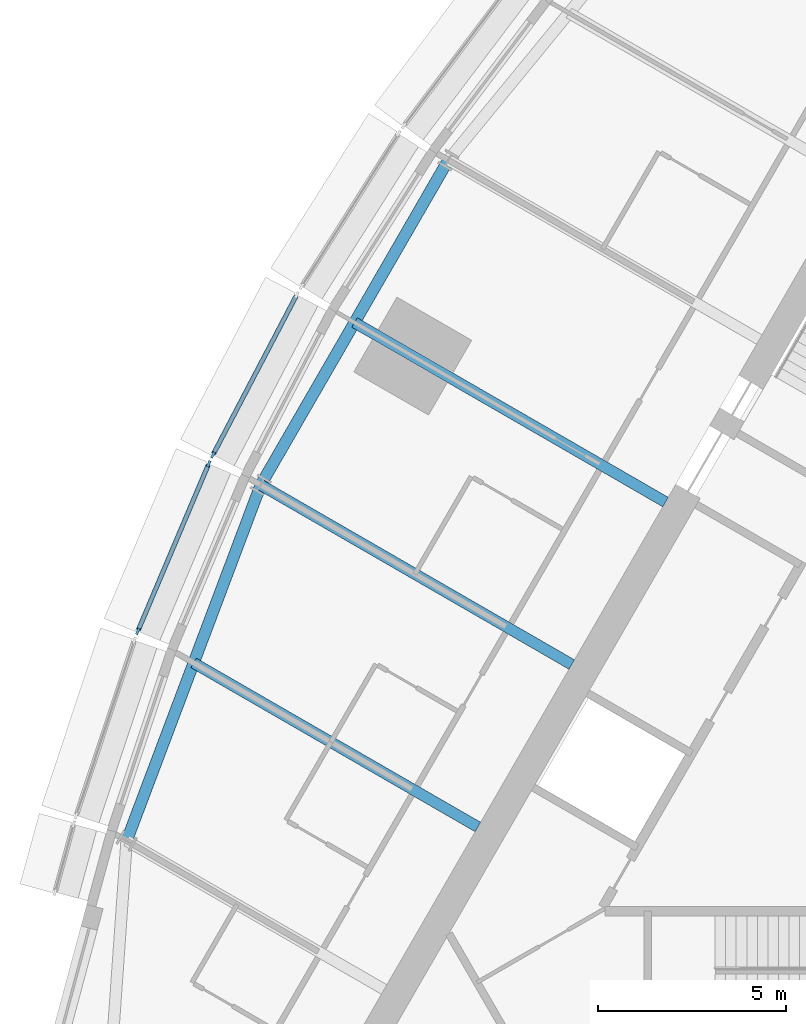
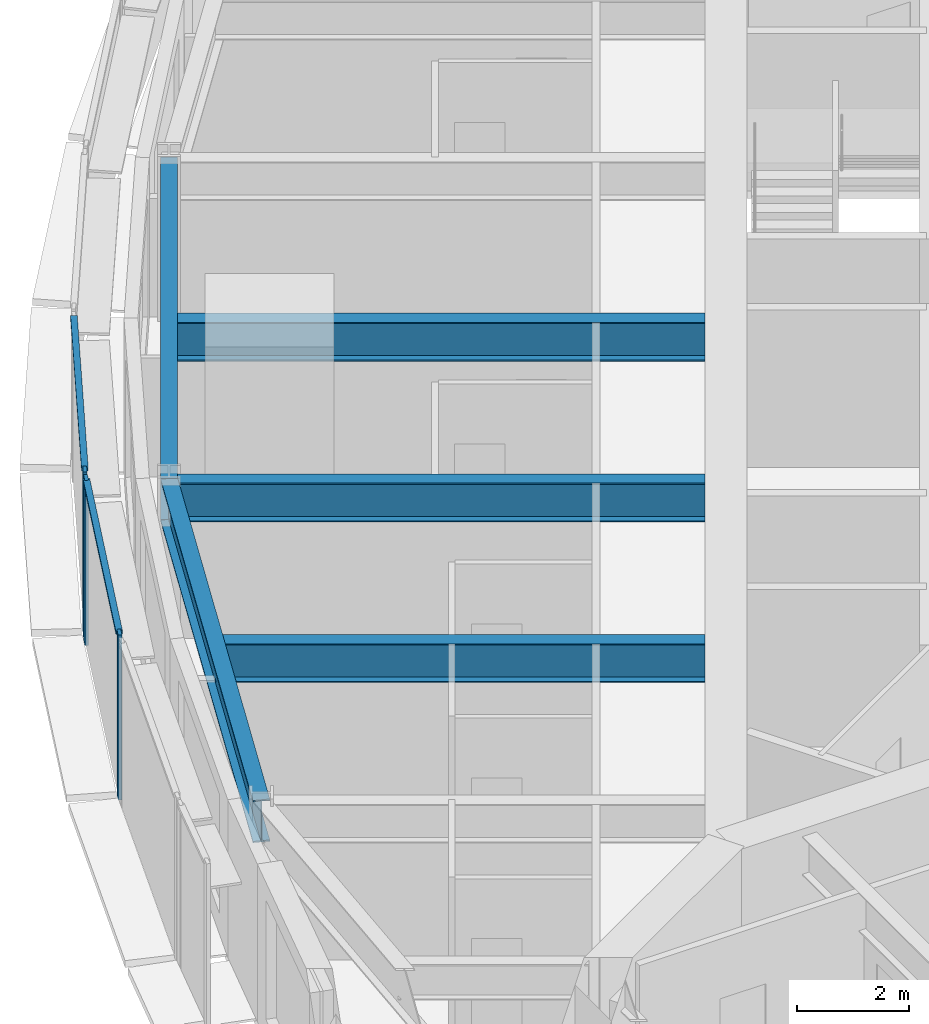
# One storey, part 3 of 15: 5 beams, 5 members, 2 elements without a shape of their own.
"""IFC4 building model written with IfcOpenShell, lengths in metres."""

import ifcopenshell
import ifcopenshell.guid

model = None  # the IFC model being written
_history = None  # IfcOwnerHistory: only IFC2X3 demands one
_inside = {}  # id of a spatial element -> (the spatial element, [elements in it])
_under = {}  # id of a project, library or spatial element -> (it, [spatial elements below it])
_declared = {}  # id of a project -> (the project, [libraries it declares])
_typed = {}  # id of a type object -> (the type object, [elements of that type])
_made_of = {}  # id of a material, layer set ... -> (it, [elements and type objects made of it])


def new_model(schema):
    """Start an empty IFC model of exactly this schema.

    Asked for "IFC4X3", IfcOpenShell would pick the latest addendum, in which some entities
    have other attributes; the version numbers below select the first issue.
    IFC2X3 requires an IfcOwnerHistory on every rooted entity: one is made here for all.
    """
    global model, _history
    if schema == "IFC4X3":
        model = ifcopenshell.file(schema_version=(4, 3, 0, 0))
    else:
        model = ifcopenshell.file(schema=schema)
    _inside.clear()
    _under.clear()
    _declared.clear()
    _typed.clear()
    _made_of.clear()
    _history = None
    if model.schema == "IFC2X3":
        org = make("IfcOrganization", Name="unknown")
        user = make(
            "IfcPersonAndOrganization",
            ThePerson=make("IfcPerson", FamilyName="unknown"),
            TheOrganization=org,
        )
        app = make(
            "IfcApplication",
            ApplicationDeveloper=org,
            Version="unknown",
            ApplicationFullName="unknown",
            ApplicationIdentifier="unknown",
        )
        _history = make(
            "IfcOwnerHistory",
            OwningUser=user,
            OwningApplication=app,
            ChangeAction="ADDED",
            CreationDate=0,
        )
    return model


def make(cls, **values):
    """One entity of the class cls with the attributes given. An attribute that is None is left unset."""
    return model.create_entity(
        cls, **{name: value for name, value in values.items() if value is not None}
    )


def rooted(cls, **values):
    """An entity with a GlobalId (a new one), such as an element, a storey or a relation."""
    return make(cls, GlobalId=ifcopenshell.guid.new(), OwnerHistory=_history, **values)


def si_unit(unit_type, name, prefix=None):
    """IfcSIUnit, for example si_unit("LENGTHUNIT", "METRE", prefix="MILLI")."""
    return make("IfcSIUnit", UnitType=unit_type, Prefix=prefix, Name=name)


def assignment(units):
    """IfcUnitAssignment: the units of a project."""
    return None if units is None else make("IfcUnitAssignment", Units=units)


def point(xyz):
    """IfcCartesianPoint."""
    return None if xyz is None else make("IfcCartesianPoint", Coordinates=xyz)


def direction(xyz):
    """IfcDirection."""
    return None if xyz is None else make("IfcDirection", DirectionRatios=xyz)


def frame(location, z_axis=None, x_axis=None):
    """IfcAxis2Placement3D, a coordinate frame: its origin and axes. An axis left out is left unset."""
    return make(
        "IfcAxis2Placement3D",
        Location=point(location),
        Axis=direction(z_axis),
        RefDirection=direction(x_axis),
    )


def frame_2d(location, x_axis=None):
    """IfcAxis2Placement2D, a coordinate frame in the plane: its origin and x axis."""
    return make(
        "IfcAxis2Placement2D", Location=point(location), RefDirection=direction(x_axis)
    )


def origin():
    """The frame at (0, 0, 0) with its axes left unset."""
    return frame((0.0, 0.0, 0.0))


def origin_2d():
    """The frame at (0, 0) in the plane with its x axis left unset."""
    return frame_2d((0.0, 0.0))


def place(relative_to, where):
    """IfcLocalPlacement: puts the frame where relative to a parent placement (None: the world)."""
    return make(
        "IfcLocalPlacement", PlacementRelTo=relative_to, RelativePlacement=where
    )


def context(
    kind, dimensions, precision=None, world=None, true_north=None, identifier=None
):
    """IfcGeometricRepresentationContext, for example the 3D "Model" context."""
    return make(
        "IfcGeometricRepresentationContext",
        ContextIdentifier=identifier,
        ContextType=kind,
        CoordinateSpaceDimension=dimensions,
        Precision=precision,
        WorldCoordinateSystem=world,
        TrueNorth=true_north,
    )


def subcontext(parent, identifier, kind, view, scale=None):
    """IfcGeometricRepresentationSubContext, for example "Body" below "Model"."""
    return make(
        "IfcGeometricRepresentationSubContext",
        ContextIdentifier=identifier,
        ContextType=kind,
        ParentContext=parent,
        TargetScale=scale,
        TargetView=view,
    )


def project(units=None, contexts=None):
    """IfcProject with its units and contexts."""
    return rooted(
        "IfcProject",
        Name="project",
        RepresentationContexts=contexts,
        UnitsInContext=assignment(units),
    )


def spatial(cls, under=None, at=None, **own):
    """A site, building, storey or space (cls), placed at a placement, below another one or the project."""
    s = rooted(cls, ObjectPlacement=at, **own)
    if under is not None:
        _under.setdefault(under.id(), (under, []))[1].append(s)
    return s


def profile(cls, at=None, kind="AREA", **sizes):
    """A parametric profile (cls). Its sizes go by their IFC names, for example OverallWidth=200.0."""
    return make(cls, ProfileType=kind, Position=at, **sizes)


def rectangle(**sizes):
    """IfcRectangleProfileDef."""
    return profile("IfcRectangleProfileDef", **sizes)


def i_section(**sizes):
    """IfcIShapeProfileDef."""
    return profile("IfcIShapeProfileDef", **sizes)


def extrude(swept, where, along, depth):
    """IfcExtrudedAreaSolid: the profile swept, set in the frame where, extruded along a direction by depth."""
    return make(
        "IfcExtrudedAreaSolid",
        SweptArea=swept,
        Position=where,
        ExtrudedDirection=direction(along),
        Depth=depth,
    )


def shape(context_of_items, identifier, shape_type, items):
    """IfcShapeRepresentation: the items that make up one representation, for example the "Body"."""
    return make(
        "IfcShapeRepresentation",
        ContextOfItems=context_of_items,
        RepresentationIdentifier=identifier,
        RepresentationType=shape_type,
        Items=items,
    )


def material(Name=None, Category=None):
    """IfcMaterial."""
    return make("IfcMaterial", Name=Name, Category=Category)


def material_profile(
    of_material, cross_section, Name=None, Category=None, Priority=None
):
    """IfcMaterialProfile: a cross section and its material."""
    return make(
        "IfcMaterialProfile",
        Name=Name,
        Material=of_material,
        Profile=cross_section,
        Priority=Priority,
        Category=Category,
    )


def profile_set(profiles, Name=None, composite=None):
    """IfcMaterialProfileSet."""
    return make(
        "IfcMaterialProfileSet",
        Name=Name,
        MaterialProfiles=profiles,
        CompositeProfile=composite,
    )


def made_of(thing, what):
    """Note that an element or type object is made of a material, layer set ...; save() writes the relation."""
    if what is not None:
        _made_of.setdefault(what.id(), (what, []))[1].append(thing)
    return thing


def type_object(cls, material=None, **own):
    """A type object (cls), such as IfcWallType, which elements share."""
    return made_of(rooted(cls, **own), material)


def element(
    cls,
    number,
    at=None,
    inside=None,
    cuts=None,
    type_object=None,
    material=None,
    context=None,
    identifier="Body",
    shape_type=None,
    held_by="IfcProductDefinitionShape",
    body=None,
    shapes=None,
    **own,
):
    """One element of the class cls, such as IfcWall. Its Tag is "e" and its number.

    at: its placement. inside: the storey or other place that contains it. cuts: it is an
    opening in that element (IfcRelVoidsElement). A single representation is given by context,
    identifier, shape_type and body (its items); several are given by shapes. held_by: the class
    of the entity that holds the representations. save() writes the other relations.
    """
    e = rooted(cls, Tag="e%d" % number, ObjectPlacement=at, **own)
    if body is not None:
        shapes = [shape(context, identifier, shape_type, body)]
    if shapes is not None:
        e.Representation = make(held_by, Representations=shapes)
    if inside is not None:
        _inside.setdefault(inside.id(), (inside, []))[1].append(e)
    if cuts is not None:
        rooted(
            "IfcRelVoidsElement", RelatingBuildingElement=cuts, RelatedOpeningElement=e
        )
    if type_object is not None:
        _typed.setdefault(type_object.id(), (type_object, []))[1].append(e)
    return made_of(e, material)


def aggregate(whole, parts):
    """IfcRelAggregates: a whole, such as a stair, and the parts it consists of."""
    return rooted("IfcRelAggregates", RelatingObject=whole, RelatedObjects=parts)


def save(model, path):
    """Write the relations noted so far, then the file.

    IfcRelAggregates (storeys below a building ...), IfcRelContainedInSpatialStructure (elements
    in a storey), IfcRelDefinesByType, IfcRelAssociatesMaterial and IfcRelDeclares: one each for
    every whole, place, type object, material and project.
    """
    for whole, parts in _under.values():
        aggregate(whole, parts)
    for where, things in _inside.values():
        rooted(
            "IfcRelContainedInSpatialStructure",
            RelatedElements=things,
            RelatingStructure=where,
        )
    for kind, things in _typed.values():
        rooted("IfcRelDefinesByType", RelatedObjects=things, RelatingType=kind)
    for what, things in _made_of.values():
        rooted("IfcRelAssociatesMaterial", RelatedObjects=things, RelatingMaterial=what)
    for by, libraries in _declared.values():
        rooted("IfcRelDeclares", RelatingContext=by, RelatedDefinitions=libraries)
    model.write(path)


model = new_model("IFC4")

# Units and contexts
model_context = context("Model", 3, precision=1e-05, world=origin(), true_north=direction((0.0, 1.0)))
body_context = subcontext(model_context, "Body", "Model", "MODEL_VIEW")
ifc_project = project(units=[si_unit("LENGTHUNIT", "METRE"), si_unit("AREAUNIT", "SQUARE_METRE"), si_unit("VOLUMEUNIT", "CUBIC_METRE"), si_unit("PLANEANGLEUNIT", "RADIAN"), si_unit("MASSUNIT", "GRAM", prefix="KILO")], contexts=[model_context])

# Site, building, storey
site_placement = place(None, origin())
site = spatial("IfcSite", under=ifc_project, at=site_placement, CompositionType="ELEMENT")
building_placement = place(site_placement, origin())
building = spatial("IfcBuilding", under=site, at=building_placement, Name="Trikona Tower", CompositionType="ELEMENT")
storey_placement = place(building_placement, frame((0.0, 0.0, 218.89990234375)))
storey = spatial("IfcBuildingStorey", under=building, at=storey_placement, Name="L58", CompositionType="ELEMENT", Elevation=218.89990234375)

# Curtain wall, member
ifc_material_1 = material(Name="Aluminium curtain wall system", Category="aluminium")
curtain_wall_type = type_object("IfcCurtainWallType", Name="Curtain wall DS3", PredefinedType="NOTDEFINED", material=ifc_material_1)
curtain_wall_1_placement = place(storey_placement, origin())
curtain_wall_1 = element("IfcCurtainWall", 1, at=curtain_wall_1_placement, inside=storey, type_object=curtain_wall_type, Name="Curtain wall DS3 L58", PredefinedType="NOTDEFINED")
ifc_material_2 = material(Name="Aluminium mullion, pale anodised", Category="aluminium")
ifc_material_profile_1 = material_profile(ifc_material_2, rectangle(XDim=0.070068359375, YDim=0.179931640625, at=origin_2d()), Name="MUL-DS3")
ifc_profile_set_1 = profile_set([ifc_material_profile_1], Name="Aluminium mullion, pale anodised")
member_type_1 = type_object("IfcMemberType", Name="Mullion DS3 70x180", PredefinedType="MULLION", material=ifc_profile_set_1)
member_1_placement = place(storey_placement, frame((-20.635986328125, 6.20751953125, 0.0), z_axis=(0.0, 0.0, 1.0), x_axis=(0.885862390527, -0.463948084434, 0.0)))
member_1 = element("IfcMember", 2, at=member_1_placement, type_object=member_type_1, Name="CW-DS3 mullion 2", PredefinedType="MULLION", context=body_context, shape_type="SweptSolid", body=[
    extrude(rectangle(XDim=0.070068359375, YDim=0.179931640625, at=origin_2d()), origin(), (0.0, 0.0, 1.0), 3.60009765625),
])

# Curtain wall, members
curtain_wall_2_placement = place(storey_placement, origin())
curtain_wall_2 = element("IfcCurtainWall", 3, at=curtain_wall_2_placement, inside=storey, type_object=curtain_wall_type, Name="Curtain wall DS3 L58", PredefinedType="NOTDEFINED")
member_2_placement = place(storey_placement, frame((-20.74853515625, 5.969482421875, 0.0), z_axis=(0.0, 0.0, 1.0), x_axis=(0.920792322808, -0.390053199266, 0.0)))
member_2 = element("IfcMember", 4, at=member_2_placement, type_object=member_type_1, Name="CW-DS3 mullion 1", PredefinedType="MULLION", context=body_context, shape_type="SweptSolid", body=[
    extrude(rectangle(XDim=0.070068359375, YDim=0.179931640625, at=origin_2d()), origin(), (0.0, 0.0, 1.0), 3.60009765625),
])
member_3_placement = place(storey_placement, frame((-22.6396484375, 1.50537109375, 0.0), z_axis=(0.0, 0.0, 1.0), x_axis=(0.920792322808, -0.390053199266, 0.0)))
member_3 = element("IfcMember", 5, at=member_3_placement, type_object=member_type_1, Name="CW-DS3 mullion 2", PredefinedType="MULLION", context=body_context, shape_type="SweptSolid", body=[
    extrude(rectangle(XDim=0.070068359375, YDim=0.179931640625, at=origin_2d()), origin(), (0.0, 0.0, 1.0), 3.60009765625),
])

# Beams
ifc_material_3 = material(Name="Steel ASTM A992 Grade 50", Category="steel")
ifc_material_profile_2 = material_profile(ifc_material_3, i_section(OverallWidth=0.2919921875, OverallDepth=0.845703125, WebThickness=0.015380859375, FlangeThickness=0.0244140625, at=origin_2d()), Name="W33X141")
ifc_profile_set_2 = profile_set([ifc_material_profile_2], Name="Steel ASTM A992 Grade 50")
beam_type_1 = type_object("IfcBeamType", Name="Steel beam W33x141 (radial typ)", PredefinedType="BEAM", material=ifc_profile_set_2)
for number, where, z_axis, x_axis, name in (
    (6, (-8.57470703125, 4.95068359375, 3.01220703125), (-0.866025863714, 0.499999203377, 0.0), (-0.499999203377, -0.866025863714, 0.0), "Floor beam L59 F3 u0"),
    (7, (-11.07470703125, 0.62060546875, 3.01220703125), (-0.866025863714, 0.499999203377, 0.0), (-0.499999203377, -0.866025863714, 0.0), "Floor beam L59 F3 u5"),
):
    element("IfcBeam", number, at=place(storey_placement, frame(where, z_axis=z_axis, x_axis=x_axis)), inside=storey, type_object=beam_type_1, Name=name, PredefinedType="BEAM", context=body_context, shape_type="SweptSolid", body=[
        extrude(i_section(OverallWidth=0.2919921875, OverallDepth=0.845703125, WebThickness=0.015380859375, FlangeThickness=0.0244140625, at=origin_2d()), origin(), (0.0, 0.0, 1.0), 9.57080078125),
    ])
beam_1_placement = place(storey_placement, frame((-13.57470703125, -3.709716796875, 3.01220703125), z_axis=(-0.866013609749, 0.500020427312, 0.0), x_axis=(-0.500020427312, -0.866013609749, 0.0)))
element("IfcBeam", 8, at=beam_1_placement, inside=storey, type_object=beam_type_1, Name="Floor beam L59 F3 u10", PredefinedType="BEAM", context=body_context, shape_type="SweptSolid", body=[
    extrude(i_section(OverallWidth=0.2919921875, OverallDepth=0.845703125, WebThickness=0.015380859375, FlangeThickness=0.0244140625, at=origin_2d()), origin(), (0.0, 0.0, 1.0), 8.747314453125),
])
ifc_material_4 = material(Name="Steel ASTM A992 Grade 50", Category="steel")
ifc_material_profile_3 = material_profile(ifc_material_4, i_section(OverallWidth=0.307373046875, OverallDepth=0.922119140625, WebThickness=0.018310546875, FlangeThickness=0.030029296875, at=origin_2d()), Name="W36X182")
ifc_profile_set_3 = profile_set([ifc_material_profile_3], Name="Steel ASTM A992 Grade 50")
beam_type_2 = type_object("IfcBeamType", Name="Steel beam W36x182 (spandrel mid)", PredefinedType="SPANDREL", material=ifc_profile_set_3)
beam_2_placement = place(storey_placement, frame((-14.36328125, 14.066162109375, 2.97412109375), z_axis=(-0.500004234368, -0.866022959057, 0.0), x_axis=(0.866022959057, -0.500004234368, 0.0)))
element("IfcBeam", 9, at=beam_2_placement, inside=storey, type_object=beam_type_2, Name="Spandrel beam L59 F3-3", PredefinedType="SPANDREL", context=body_context, shape_type="SweptSolid", body=[
    extrude(i_section(OverallWidth=0.307373046875, OverallDepth=0.922119140625, WebThickness=0.018310546875, FlangeThickness=0.030029296875, at=origin_2d()), origin(), (0.0, 0.0, 1.0), 10.0),
])
beam_3_placement = place(storey_placement, frame((-19.36328125, 5.406005859375, 2.97412109375), z_axis=(-0.352596088442, -0.935775613283, 0.0), x_axis=(0.935775613283, -0.352596088442, 0.0)))
element("IfcBeam", 10, at=beam_3_placement, inside=storey, type_object=beam_type_2, Name="Spandrel beam L59 F3-4", PredefinedType="SPANDREL", context=body_context, shape_type="SweptSolid", body=[
    extrude(i_section(OverallWidth=0.307373046875, OverallDepth=0.922119140625, WebThickness=0.018310546875, FlangeThickness=0.030029296875, at=origin_2d()), origin(), (0.0, 0.0, 1.0), 10.134765625),
])

# Member
ifc_material_5 = material(Name="Aluminium transom, pale anodised", Category="aluminium")
ifc_material_profile_4 = material_profile(ifc_material_5, rectangle(XDim=0.1201171875, YDim=0.070068359375, at=origin_2d()), Name="TRN-DS3")
ifc_profile_set_4 = profile_set([ifc_material_profile_4], Name="Aluminium transom, pale anodised")
member_type_2 = type_object("IfcMemberType", Name="Transom DS3 70x120", PredefinedType="USERDEFINED", material=ifc_profile_set_4)
member_4_placement = place(storey_placement, frame((-18.418701171875, 10.44140625, 3.565185546875), z_axis=(-0.463910848027, -0.885881891158, 0.0), x_axis=(0.885881891158, -0.463910848027, 0.0)))
member_4 = element("IfcMember", 11, at=member_4_placement, type_object=member_type_2, Name="CW-DS3 transom 1.1", ObjectType="TRANSOM", PredefinedType="USERDEFINED", context=body_context, shape_type="SweptSolid", body=[
    extrude(rectangle(XDim=0.1201171875, YDim=0.070068359375, at=origin_2d()), origin(), (0.0, 0.0, 1.0), 4.744384765625),
])

aggregate(curtain_wall_1, [member_1, member_4])

member_5_placement = place(storey_placement, frame((-20.76220703125, 5.937255859375, 3.565185546875), z_axis=(-0.390061662668, -0.920788737614, 0.0), x_axis=(0.920788737614, -0.390061662668, 0.0)))
member_5 = element("IfcMember", 12, at=member_5_placement, type_object=member_type_2, Name="CW-DS3 transom 1.1", ObjectType="TRANSOM", PredefinedType="USERDEFINED", context=body_context, shape_type="SweptSolid", body=[
    extrude(rectangle(XDim=0.1201171875, YDim=0.070068359375, at=origin_2d()), origin(), (0.0, 0.0, 1.0), 4.778076171875),
])

aggregate(curtain_wall_2, [member_2, member_3, member_5])

save(model, "model.ifc")
